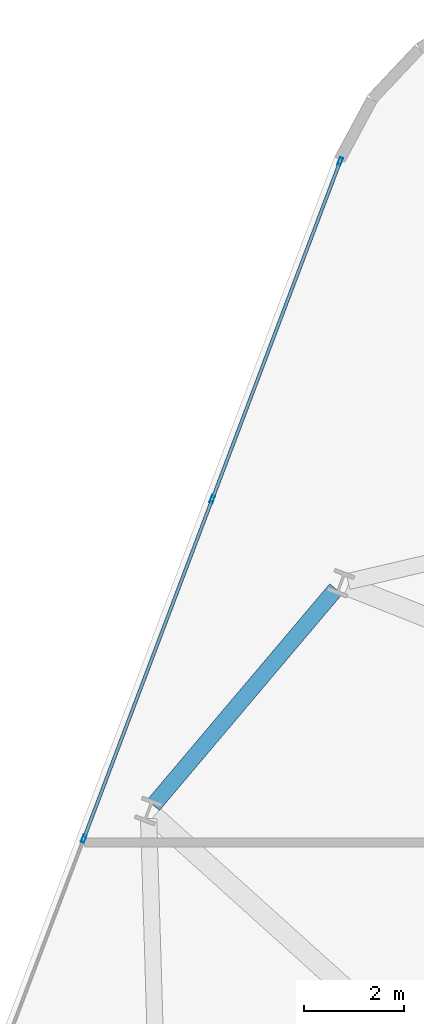
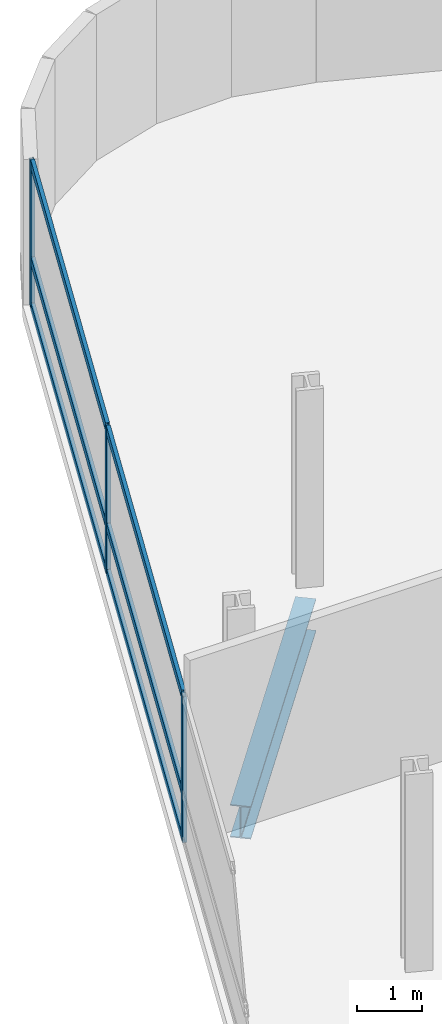
# One storey, part 8 of 24: 9 members, 1 beam, 1 element without a shape of its own.
"""IFC4 building model written with IfcOpenShell, lengths in metres."""

from ifc_helpers import new_model, si_unit, direction, frame, origin, origin_2d, place, context, subcontext, project, spatial, hollow_rectangle, i_section, extrude, material, layer, layer_set, material_profile, profile_set, type_object, element, aggregate, save


model = new_model("IFC4")

# Units and contexts
model_context = context("Model", 3, precision=1e-05, world=origin(), true_north=direction((0.0, 1.0)))
body_context = subcontext(model_context, "Body", "Model", "MODEL_VIEW")
ifc_project = project(units=[si_unit("LENGTHUNIT", "METRE"), si_unit("AREAUNIT", "SQUARE_METRE"), si_unit("VOLUMEUNIT", "CUBIC_METRE"), si_unit("PLANEANGLEUNIT", "RADIAN"), si_unit("MASSUNIT", "GRAM", prefix="KILO")], contexts=[model_context])

# Site, building, storey
site_placement = place(None, origin())
site = spatial("IfcSite", under=ifc_project, at=site_placement, CompositionType="ELEMENT")
building_placement = place(site_placement, origin())
building = spatial("IfcBuilding", under=site, at=building_placement, Name="Varnelok Gate Tower", CompositionType="ELEMENT")
storey_placement = place(building_placement, frame((0.0, 0.0, 98.39990234375)))
storey = spatial("IfcBuildingStorey", under=building, at=storey_placement, Name="L24", CompositionType="ELEMENT", Elevation=98.39990234375)

# Beam
ifc_material_1 = material(Name="Structural Steel ASTM A992 Grade 50", Category="steel")
ifc_material_profile_1 = material_profile(ifc_material_1, i_section(OverallWidth=0.323974609375, OverallDepth=0.611083984375, WebThickness=0.0126953125, FlangeThickness=0.01904296875, FilletRadius=0.01806640625, at=origin_2d()), Name="W24X104")
ifc_profile_set_1 = profile_set([ifc_material_profile_1], Name="Structural Steel ASTM A992 Grade 50")
beam_type = type_object("IfcBeamType", Name="BM-SPN-W24X104", PredefinedType="SPANDREL", material=ifc_profile_set_1)
beam_placement = place(storey_placement, frame((10.66650390625, 46.857666015625, -0.555419921875), z_axis=(-0.645376429405, -0.763864689829, 0.0), x_axis=(0.763864689829, -0.645376429405, 0.0)))
element("IfcBeam", 1, at=beam_placement, inside=storey, type_object=beam_type, Name="L24 Perimeter Spandrel Beam 14", PredefinedType="SPANDREL", context=body_context, shape_type="SweptSolid", body=[
    extrude(i_section(OverallWidth=0.323974609375, OverallDepth=0.611083984375, WebThickness=0.0126953125, FlangeThickness=0.01904296875, FilletRadius=0.01806640625, at=origin_2d()), origin(), (0.0, 0.0, 1.0), 5.64990234375),
])

# Curtain wall, members
ifc_material_2 = material(Name="Anodized Aluminum Alloy 6063-T6", Category="aluminium")
ifc_layer = layer(ifc_material_2, 0.179931640625)
ifc_layer_set = layer_set([ifc_layer], Name="Anodized Aluminum Alloy 6063-T6")
curtain_wall_type = type_object("IfcCurtainWallType", Name="CW3-HOTEL-VISION", PredefinedType="USERDEFINED", material=ifc_layer_set)
curtain_wall_placement = place(storey_placement, origin())
curtain_wall = element("IfcCurtainWall", 2, at=curtain_wall_placement, inside=storey, type_object=curtain_wall_type, Name="L24 West End Vision Curtain Wall", ObjectType="UNITISED CURTAIN WALL", PredefinedType="USERDEFINED")
ifc_material_profile_2 = material_profile(ifc_material_2, hollow_rectangle(XDim=0.06494140625, YDim=0.159912109375, WallThickness=0.00390625, at=origin_2d()), Name="ALU160X65X4")
ifc_profile_set_2 = profile_set([ifc_material_profile_2], Name="Anodized Aluminum Alloy 6063-T6")
member_type_1 = type_object("IfcMemberType", Name="CW-MULL-160", PredefinedType="MULLION", material=ifc_profile_set_2)
member_1_placement = place(storey_placement, frame((5.63525390625, 41.8779296875, 0.0), z_axis=(0.0, 0.0, 1.0), x_axis=(-0.935221323688, 0.354063660545, 0.0)))
member_1 = element("IfcMember", 3, at=member_1_placement, type_object=member_type_1, Name="CW3 mullion 4", PredefinedType="MULLION", context=body_context, shape_type="SweptSolid", body=[
    extrude(hollow_rectangle(XDim=0.06494140625, YDim=0.159912109375, WallThickness=0.00390625, at=origin_2d()), origin(), (0.0, 0.0, 1.0), 2.72998046875),
])
member_2_placement = place(storey_placement, frame((8.19873046875, 48.64892578125, 0.0), z_axis=(0.0, 0.0, 1.0), x_axis=(-0.935221323688, 0.354063660545, 0.0)))
member_2 = element("IfcMember", 4, at=member_2_placement, type_object=member_type_1, Name="CW3 mullion 5", PredefinedType="MULLION", context=body_context, shape_type="SweptSolid", body=[
    extrude(hollow_rectangle(XDim=0.06494140625, YDim=0.159912109375, WallThickness=0.00390625, at=origin_2d()), origin(), (0.0, 0.0, 1.0), 2.72998046875),
])
member_3_placement = place(storey_placement, frame((10.750732421875, 55.389404296875, 0.0), z_axis=(0.0, 0.0, 1.0), x_axis=(-0.935221323688, 0.354063660545, 0.0)))
member_3 = element("IfcMember", 5, at=member_3_placement, type_object=member_type_1, Name="CW3 mullion 6", PredefinedType="MULLION", context=body_context, shape_type="SweptSolid", body=[
    extrude(hollow_rectangle(XDim=0.06494140625, YDim=0.159912109375, WallThickness=0.00390625, at=origin_2d()), origin(), (0.0, 0.0, 1.0), 2.72998046875),
])
ifc_material_profile_3 = material_profile(ifc_material_2, hollow_rectangle(XDim=0.06494140625, YDim=0.159912109375, WallThickness=0.00390625, at=origin_2d()), Name="ALU160X65X4")
ifc_profile_set_3 = profile_set([ifc_material_profile_3], Name="Anodized Aluminum Alloy 6063-T6")
member_type_2 = type_object("IfcMemberType", Name="CW-TRAN-160", PredefinedType="USERDEFINED", material=ifc_profile_set_3)
member_4_placement = place(storey_placement, frame((5.64697265625, 41.908203125, 0.03271484375), z_axis=(0.354048963644, 0.935226887628, 0.0), x_axis=(-0.935226887628, 0.354048963644, 0.0)))
member_4 = element("IfcMember", 6, at=member_4_placement, type_object=member_type_2, Name="CW3 transom 4.1", ObjectType="TRANSOM", PredefinedType="USERDEFINED", context=body_context, shape_type="SweptSolid", body=[
    extrude(hollow_rectangle(XDim=0.06494140625, YDim=0.159912109375, WallThickness=0.00390625, at=origin_2d()), origin(), (0.0, 0.0, 1.0), 7.175048828125),
])
member_5_placement = place(storey_placement, frame((5.64697265625, 41.908203125, 0.900146484375), z_axis=(0.354048963644, 0.935226887628, 0.0), x_axis=(-0.935226887628, 0.354048963644, 0.0)))
member_5 = element("IfcMember", 7, at=member_5_placement, type_object=member_type_2, Name="CW3 transom 4.2", ObjectType="TRANSOM", PredefinedType="USERDEFINED", context=body_context, shape_type="SweptSolid", body=[
    extrude(hollow_rectangle(XDim=0.06494140625, YDim=0.159912109375, WallThickness=0.00390625, at=origin_2d()), origin(), (0.0, 0.0, 1.0), 7.175048828125),
])
member_6_placement = place(storey_placement, frame((5.64697265625, 41.908203125, 2.697509765625), z_axis=(0.354048963644, 0.935226887628, 0.0), x_axis=(-0.935226887628, 0.354048963644, 0.0)))
member_6 = element("IfcMember", 8, at=member_6_placement, type_object=member_type_2, Name="CW3 transom 4.3", ObjectType="TRANSOM", PredefinedType="USERDEFINED", context=body_context, shape_type="SweptSolid", body=[
    extrude(hollow_rectangle(XDim=0.06494140625, YDim=0.159912109375, WallThickness=0.00390625, at=origin_2d()), origin(), (0.0, 0.0, 1.0), 7.175048828125),
])
member_7_placement = place(storey_placement, frame((8.210205078125, 48.67919921875, 0.03271484375), z_axis=(0.354077146385, 0.935216217999, 0.0), x_axis=(-0.935216217999, 0.354077146385, 0.0)))
member_7 = element("IfcMember", 9, at=member_7_placement, type_object=member_type_2, Name="CW3 transom 5.1", ObjectType="TRANSOM", PredefinedType="USERDEFINED", context=body_context, shape_type="SweptSolid", body=[
    extrude(hollow_rectangle(XDim=0.06494140625, YDim=0.159912109375, WallThickness=0.00390625, at=origin_2d()), origin(), (0.0, 0.0, 1.0), 7.142578125),
])
member_8_placement = place(storey_placement, frame((8.210205078125, 48.67919921875, 0.900146484375), z_axis=(0.354077146385, 0.935216217999, 0.0), x_axis=(-0.935216217999, 0.354077146385, 0.0)))
member_8 = element("IfcMember", 10, at=member_8_placement, type_object=member_type_2, Name="CW3 transom 5.2", ObjectType="TRANSOM", PredefinedType="USERDEFINED", context=body_context, shape_type="SweptSolid", body=[
    extrude(hollow_rectangle(XDim=0.06494140625, YDim=0.159912109375, WallThickness=0.00390625, at=origin_2d()), origin(), (0.0, 0.0, 1.0), 7.142578125),
])
member_9_placement = place(storey_placement, frame((8.210205078125, 48.67919921875, 2.697509765625), z_axis=(0.354077146385, 0.935216217999, 0.0), x_axis=(-0.935216217999, 0.354077146385, 0.0)))
member_9 = element("IfcMember", 11, at=member_9_placement, type_object=member_type_2, Name="CW3 transom 5.3", ObjectType="TRANSOM", PredefinedType="USERDEFINED", context=body_context, shape_type="SweptSolid", body=[
    extrude(hollow_rectangle(XDim=0.06494140625, YDim=0.159912109375, WallThickness=0.00390625, at=origin_2d()), origin(), (0.0, 0.0, 1.0), 7.142578125),
])
aggregate(curtain_wall, [member_1, member_2, member_3, member_4, member_5, member_6, member_7, member_8, member_9])

save(model, "model.ifc")
